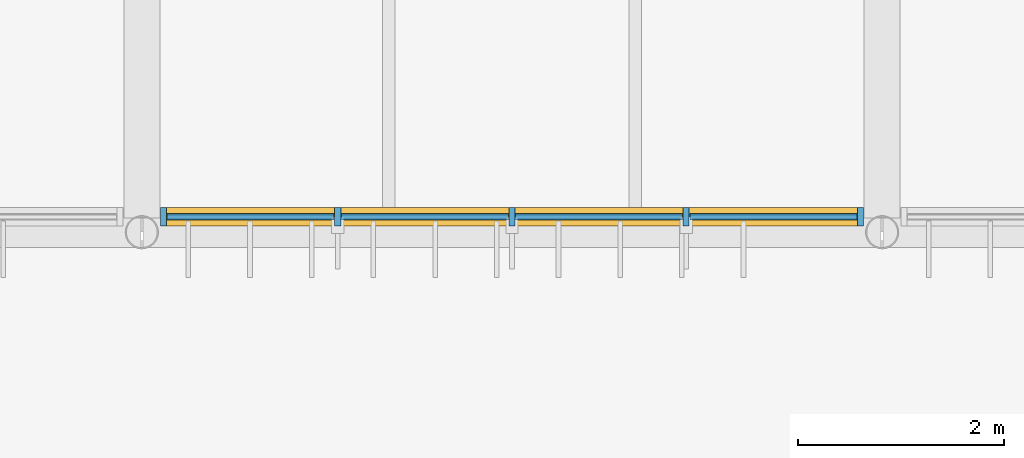
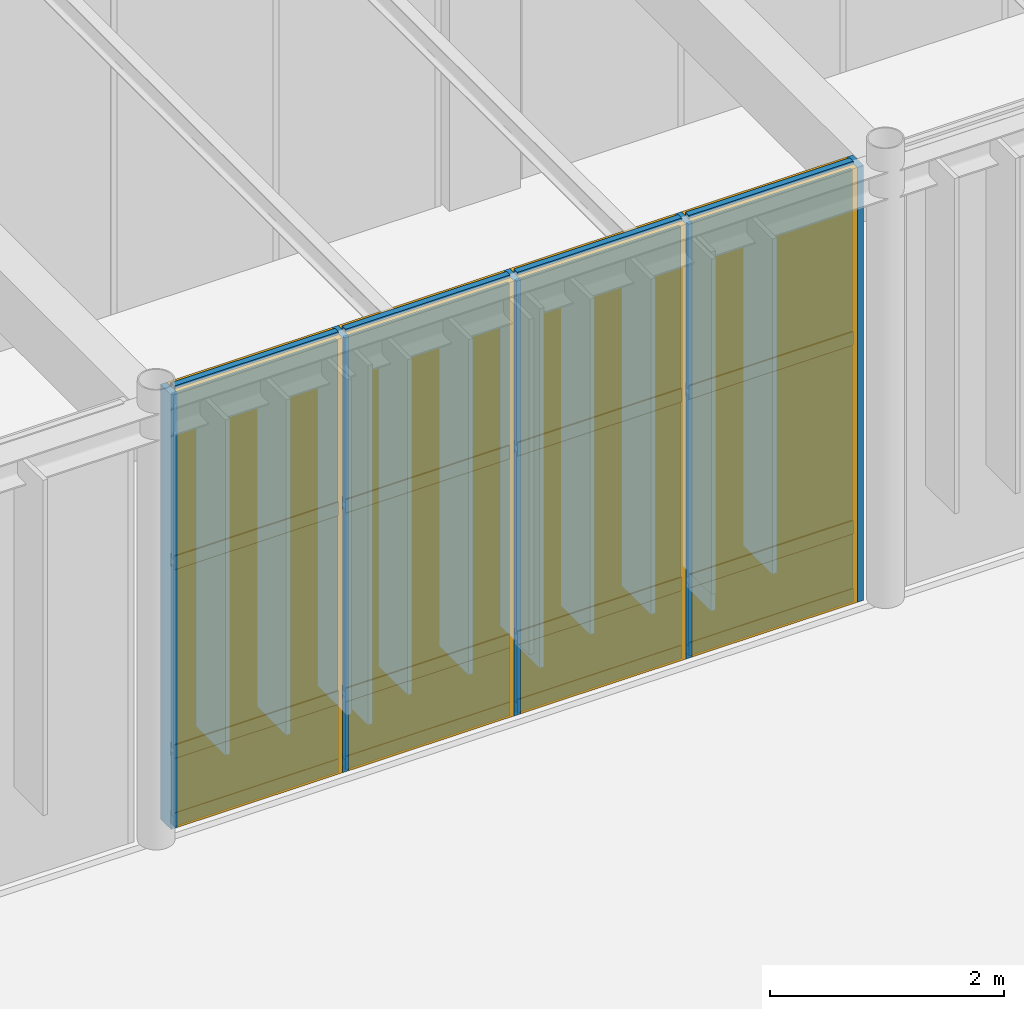
# One storey, part 72 of 122: 21 members, 12 plates, 1 curtain wall.
"""IFC4 building model written with IfcOpenShell, lengths in metres."""

from ifc_helpers import new_model, si_unit, direction, frame, frame_2d, origin, origin_2d, place, context, subcontext, project, spatial, rectangle, extrude, material, layer, layer_set, material_profile, profile_set, type_object, element, aggregate, save


model = new_model("IFC4")

# Units and contexts
model_context = context("Model", 3, precision=1e-05, world=origin(), true_north=direction((0.0, 1.0)))
body_context = subcontext(model_context, "Body", "Model", "MODEL_VIEW")
ifc_project = project(units=[si_unit("LENGTHUNIT", "METRE"), si_unit("AREAUNIT", "SQUARE_METRE"), si_unit("VOLUMEUNIT", "CUBIC_METRE"), si_unit("PLANEANGLEUNIT", "RADIAN"), si_unit("MASSUNIT", "GRAM", prefix="KILO")], contexts=[model_context])

# Member
ifc_material_1 = material(Name="Anodised Bronze Aluminium 6063-T6", Category="aluminium")
ifc_material_profile_1 = material_profile(ifc_material_1, rectangle(XDim=0.06005859375, YDim=0.179931640625, at=origin_2d()), Name="ALU MULLION 60x180")
ifc_profile_set_1 = profile_set([ifc_material_profile_1], Name="Anodised Bronze Aluminium 6063-T6")
member_type_1 = type_object("IfcMemberType", Name="Curtain-Wall Primary Mullion 60x180", PredefinedType="MULLION", material=ifc_profile_set_1)
site_placement = place(None, origin())
building_placement = place(site_placement, origin())
storey_placement = place(building_placement, origin())
member_1_placement = place(storey_placement, frame((43.412109375, 44.75, 0.0), z_axis=(0.0, 0.0, 1.0), x_axis=(1.0, 0.0, 0.0)))
member_1 = element("IfcMember", 1, at=member_1_placement, type_object=member_type_1, Name="Mullion CWM-01 CW-WLNK-S-L00-B3-M01", PredefinedType="MULLION", context=body_context, shape_type="SweptSolid", body=[
    extrude(rectangle(XDim=0.06005859375, YDim=0.179931640625, at=origin_2d()), origin(), (0.0, 0.0, 1.0), 4.5400390625),
])

member_2_placement = place(storey_placement, frame((45.10595703125, 44.75, 0.0), z_axis=(0.0, 0.0, 1.0), x_axis=(1.0, 0.0, 0.0)))
member_2 = element("IfcMember", 2, at=member_2_placement, type_object=member_type_1, Name="Mullion CWM-01 CW-WLNK-S-L00-B3-M02", PredefinedType="MULLION", context=body_context, shape_type="SweptSolid", body=[
    extrude(rectangle(XDim=0.06005859375, YDim=0.179931640625, at=origin_2d()), origin(), (0.0, 0.0, 1.0), 4.5400390625),
])

member_3_placement = place(storey_placement, frame((46.800048828125, 44.75, 0.0), z_axis=(0.0, 0.0, 1.0), x_axis=(1.0, 0.0, 0.0)))
member_3 = element("IfcMember", 3, at=member_3_placement, type_object=member_type_1, Name="Mullion CWM-01 CW-WLNK-S-L00-B3-M03", PredefinedType="MULLION", context=body_context, shape_type="SweptSolid", body=[
    extrude(rectangle(XDim=0.06005859375, YDim=0.179931640625, at=origin_2d()), origin(), (0.0, 0.0, 1.0), 4.5400390625),
])

member_4_placement = place(storey_placement, frame((48.493896484375, 44.75, 0.0), z_axis=(0.0, 0.0, 1.0), x_axis=(1.0, 0.0, 0.0)))
member_4 = element("IfcMember", 4, at=member_4_placement, type_object=member_type_1, Name="Mullion CWM-01 CW-WLNK-S-L00-B3-M04", PredefinedType="MULLION", context=body_context, shape_type="SweptSolid", body=[
    extrude(rectangle(XDim=0.06005859375, YDim=0.179931640625, at=origin_2d()), origin(), (0.0, 0.0, 1.0), 4.5400390625),
])

member_5_placement = place(storey_placement, frame((50.18798828125, 44.75, 0.0), z_axis=(0.0, 0.0, 1.0), x_axis=(1.0, 0.0, 0.0)))
member_5 = element("IfcMember", 5, at=member_5_placement, type_object=member_type_1, Name="Mullion CWM-01 CW-WLNK-S-L00-B3-M05", PredefinedType="MULLION", context=body_context, shape_type="SweptSolid", body=[
    extrude(rectangle(XDim=0.06005859375, YDim=0.179931640625, at=origin_2d()), origin(), (0.0, 0.0, 1.0), 4.5400390625),
])

ifc_material_profile_2 = material_profile(ifc_material_1, rectangle(XDim=0.06005859375, YDim=0.139892578125, at=origin_2d()), Name="ALU TRANSOM 60x140")
ifc_profile_set_2 = profile_set([ifc_material_profile_2], Name="Anodised Bronze Aluminium 6063-T6")
member_type_2 = type_object("IfcMemberType", Name="Curtain-Wall Transom 60x140", PredefinedType="USERDEFINED", material=ifc_profile_set_2)
member_6_placement = place(storey_placement, frame((43.447021484375, 44.75, 0.0400390625), z_axis=(1.0, 0.0, 0.0), x_axis=(0.0, 1.0, 0.0)))
member_6 = element("IfcMember", 6, at=member_6_placement, type_object=member_type_2, Name="Transom CWT-01 CW-WLNK-S-L00-B3-T01.1", ObjectType="TRANSOM", PredefinedType="USERDEFINED", context=body_context, shape_type="SweptSolid", body=[
    extrude(rectangle(XDim=0.06005859375, YDim=0.139892578125, at=origin_2d()), origin(), (0.0, 0.0, 1.0), 1.6240234375),
])

member_7_placement = place(storey_placement, frame((43.447021484375, 44.75, 0.75), z_axis=(1.0, 0.0, 0.0), x_axis=(0.0, 1.0, 0.0)))
member_7 = element("IfcMember", 7, at=member_7_placement, type_object=member_type_2, Name="Transom CWT-01 CW-WLNK-S-L00-B3-T01.2", ObjectType="TRANSOM", PredefinedType="USERDEFINED", context=body_context, shape_type="SweptSolid", body=[
    extrude(rectangle(XDim=0.06005859375, YDim=0.139892578125, at=origin_2d()), origin(), (0.0, 0.0, 1.0), 1.6240234375),
])

member_8_placement = place(storey_placement, frame((43.447021484375, 44.75, 2.720703125), z_axis=(1.0, 0.0, 0.0), x_axis=(0.0, 1.0, 0.0)))
member_8 = element("IfcMember", 8, at=member_8_placement, type_object=member_type_2, Name="Transom CWT-01 CW-WLNK-S-L00-B3-T01.3", ObjectType="TRANSOM", PredefinedType="USERDEFINED", context=body_context, shape_type="SweptSolid", body=[
    extrude(rectangle(XDim=0.06005859375, YDim=0.139892578125, at=origin_2d()), origin(), (0.0, 0.0, 1.0), 1.6240234375),
])

member_9_placement = place(storey_placement, frame((43.447021484375, 44.75, 4.5), z_axis=(1.0, 0.0, 0.0), x_axis=(0.0, 1.0, 0.0)))
member_9 = element("IfcMember", 9, at=member_9_placement, type_object=member_type_2, Name="Transom CWT-01 CW-WLNK-S-L00-B3-T01.4", ObjectType="TRANSOM", PredefinedType="USERDEFINED", context=body_context, shape_type="SweptSolid", body=[
    extrude(rectangle(XDim=0.06005859375, YDim=0.139892578125, at=origin_2d()), origin(), (0.0, 0.0, 1.0), 1.6240234375),
])

member_10_placement = place(storey_placement, frame((45.14111328125, 44.75, 0.0400390625), z_axis=(1.0, 0.0, 0.0), x_axis=(0.0, 1.0, 0.0)))
member_10 = element("IfcMember", 10, at=member_10_placement, type_object=member_type_2, Name="Transom CWT-01 CW-WLNK-S-L00-B3-T02.1", ObjectType="TRANSOM", PredefinedType="USERDEFINED", context=body_context, shape_type="SweptSolid", body=[
    extrude(rectangle(XDim=0.06005859375, YDim=0.139892578125, at=origin_2d()), origin(), (0.0, 0.0, 1.0), 1.623779296875),
])

member_11_placement = place(storey_placement, frame((45.14111328125, 44.75, 0.75), z_axis=(1.0, 0.0, 0.0), x_axis=(0.0, 1.0, 0.0)))
member_11 = element("IfcMember", 11, at=member_11_placement, type_object=member_type_2, Name="Transom CWT-01 CW-WLNK-S-L00-B3-T02.2", ObjectType="TRANSOM", PredefinedType="USERDEFINED", context=body_context, shape_type="SweptSolid", body=[
    extrude(rectangle(XDim=0.06005859375, YDim=0.139892578125, at=origin_2d()), origin(), (0.0, 0.0, 1.0), 1.623779296875),
])

member_12_placement = place(storey_placement, frame((45.14111328125, 44.75, 2.720703125), z_axis=(1.0, 0.0, 0.0), x_axis=(0.0, 1.0, 0.0)))
member_12 = element("IfcMember", 12, at=member_12_placement, type_object=member_type_2, Name="Transom CWT-01 CW-WLNK-S-L00-B3-T02.3", ObjectType="TRANSOM", PredefinedType="USERDEFINED", context=body_context, shape_type="SweptSolid", body=[
    extrude(rectangle(XDim=0.06005859375, YDim=0.139892578125, at=origin_2d()), origin(), (0.0, 0.0, 1.0), 1.623779296875),
])

member_13_placement = place(storey_placement, frame((45.14111328125, 44.75, 4.5), z_axis=(1.0, 0.0, 0.0), x_axis=(0.0, 1.0, 0.0)))
member_13 = element("IfcMember", 13, at=member_13_placement, type_object=member_type_2, Name="Transom CWT-01 CW-WLNK-S-L00-B3-T02.4", ObjectType="TRANSOM", PredefinedType="USERDEFINED", context=body_context, shape_type="SweptSolid", body=[
    extrude(rectangle(XDim=0.06005859375, YDim=0.139892578125, at=origin_2d()), origin(), (0.0, 0.0, 1.0), 1.623779296875),
])

member_14_placement = place(storey_placement, frame((46.8349609375, 44.75, 0.0400390625), z_axis=(1.0, 0.0, 0.0), x_axis=(0.0, 1.0, 0.0)))
member_14 = element("IfcMember", 14, at=member_14_placement, type_object=member_type_2, Name="Transom CWT-01 CW-WLNK-S-L00-B3-T03.1", ObjectType="TRANSOM", PredefinedType="USERDEFINED", context=body_context, shape_type="SweptSolid", body=[
    extrude(rectangle(XDim=0.06005859375, YDim=0.139892578125, at=origin_2d()), origin(), (0.0, 0.0, 1.0), 1.6240234375),
])

member_15_placement = place(storey_placement, frame((46.8349609375, 44.75, 0.75), z_axis=(1.0, 0.0, 0.0), x_axis=(0.0, 1.0, 0.0)))
member_15 = element("IfcMember", 15, at=member_15_placement, type_object=member_type_2, Name="Transom CWT-01 CW-WLNK-S-L00-B3-T03.2", ObjectType="TRANSOM", PredefinedType="USERDEFINED", context=body_context, shape_type="SweptSolid", body=[
    extrude(rectangle(XDim=0.06005859375, YDim=0.139892578125, at=origin_2d()), origin(), (0.0, 0.0, 1.0), 1.6240234375),
])

member_16_placement = place(storey_placement, frame((46.8349609375, 44.75, 2.720703125), z_axis=(1.0, 0.0, 0.0), x_axis=(0.0, 1.0, 0.0)))
member_16 = element("IfcMember", 16, at=member_16_placement, type_object=member_type_2, Name="Transom CWT-01 CW-WLNK-S-L00-B3-T03.3", ObjectType="TRANSOM", PredefinedType="USERDEFINED", context=body_context, shape_type="SweptSolid", body=[
    extrude(rectangle(XDim=0.06005859375, YDim=0.139892578125, at=origin_2d()), origin(), (0.0, 0.0, 1.0), 1.6240234375),
])

member_17_placement = place(storey_placement, frame((46.8349609375, 44.75, 4.5), z_axis=(1.0, 0.0, 0.0), x_axis=(0.0, 1.0, 0.0)))
member_17 = element("IfcMember", 17, at=member_17_placement, type_object=member_type_2, Name="Transom CWT-01 CW-WLNK-S-L00-B3-T03.4", ObjectType="TRANSOM", PredefinedType="USERDEFINED", context=body_context, shape_type="SweptSolid", body=[
    extrude(rectangle(XDim=0.06005859375, YDim=0.139892578125, at=origin_2d()), origin(), (0.0, 0.0, 1.0), 1.6240234375),
])

member_18_placement = place(storey_placement, frame((48.529052734375, 44.75, 0.0400390625), z_axis=(1.0, 0.0, 0.0), x_axis=(0.0, 1.0, 0.0)))
member_18 = element("IfcMember", 18, at=member_18_placement, type_object=member_type_2, Name="Transom CWT-01 CW-WLNK-S-L00-B3-T04.1", ObjectType="TRANSOM", PredefinedType="USERDEFINED", context=body_context, shape_type="SweptSolid", body=[
    extrude(rectangle(XDim=0.06005859375, YDim=0.139892578125, at=origin_2d()), origin(), (0.0, 0.0, 1.0), 1.6240234375),
])

member_19_placement = place(storey_placement, frame((48.529052734375, 44.75, 0.75), z_axis=(1.0, 0.0, 0.0), x_axis=(0.0, 1.0, 0.0)))
member_19 = element("IfcMember", 19, at=member_19_placement, type_object=member_type_2, Name="Transom CWT-01 CW-WLNK-S-L00-B3-T04.2", ObjectType="TRANSOM", PredefinedType="USERDEFINED", context=body_context, shape_type="SweptSolid", body=[
    extrude(rectangle(XDim=0.06005859375, YDim=0.139892578125, at=origin_2d()), origin(), (0.0, 0.0, 1.0), 1.6240234375),
])

member_20_placement = place(storey_placement, frame((48.529052734375, 44.75, 2.720703125), z_axis=(1.0, 0.0, 0.0), x_axis=(0.0, 1.0, 0.0)))
member_20 = element("IfcMember", 20, at=member_20_placement, type_object=member_type_2, Name="Transom CWT-01 CW-WLNK-S-L00-B3-T04.3", ObjectType="TRANSOM", PredefinedType="USERDEFINED", context=body_context, shape_type="SweptSolid", body=[
    extrude(rectangle(XDim=0.06005859375, YDim=0.139892578125, at=origin_2d()), origin(), (0.0, 0.0, 1.0), 1.6240234375),
])

member_21_placement = place(storey_placement, frame((48.529052734375, 44.75, 4.5), z_axis=(1.0, 0.0, 0.0), x_axis=(0.0, 1.0, 0.0)))
member_21 = element("IfcMember", 21, at=member_21_placement, type_object=member_type_2, Name="Transom CWT-01 CW-WLNK-S-L00-B3-T04.4", ObjectType="TRANSOM", PredefinedType="USERDEFINED", context=body_context, shape_type="SweptSolid", body=[
    extrude(rectangle(XDim=0.06005859375, YDim=0.139892578125, at=origin_2d()), origin(), (0.0, 0.0, 1.0), 1.6240234375),
])

# Plate
ifc_material_2 = material(Name="Insulated Bronze Aluminium Spandrel Panel", Category="aluminium")
ifc_layer_1 = layer(ifc_material_2, 0.050048828125, Name="Insulated Bronze Aluminium Spandrel Panel")
ifc_layer_set_1 = layer_set([ifc_layer_1], Name="Insulated Bronze Aluminium Spandrel Panel")
plate_type_1 = type_object("IfcPlateType", Name="Insulated Anodised Aluminium Spandrel Cassette 50", PredefinedType="CURTAIN_PANEL", material=ifc_layer_set_1)
plate_1_placement = place(storey_placement, frame((44.259033203125, 44.75, 0.070068359375), z_axis=(0.0, 0.0, 1.0), x_axis=(1.0, 0.0, 0.0)))
plate_1 = element("IfcPlate", 22, at=plate_1_placement, type_object=plate_type_1, Name="Curtain Panel CWP-03 CW-WLNK-S-L00-B3-P01.1", PredefinedType="CURTAIN_PANEL", context=body_context, shape_type="SweptSolid", body=[
    extrude(rectangle(XDim=1.6240234375, YDim=0.050048828125, at=origin_2d()), origin(), (0.0, 0.0, 1.0), 0.64990234375),
])

plate_2_placement = place(storey_placement, frame((45.952880859375, 44.75, 0.070068359375), z_axis=(0.0, 0.0, 1.0), x_axis=(1.0, 0.0, 0.0)))
plate_2 = element("IfcPlate", 23, at=plate_2_placement, type_object=plate_type_1, Name="Curtain Panel CWP-03 CW-WLNK-S-L00-B3-P02.1", PredefinedType="CURTAIN_PANEL", context=body_context, shape_type="SweptSolid", body=[
    extrude(rectangle(XDim=1.6240234375, YDim=0.050048828125, at=origin_2d()), origin(), (0.0, 0.0, 1.0), 0.64990234375),
])

plate_3_placement = place(storey_placement, frame((47.64697265625, 44.75, 0.070068359375), z_axis=(0.0, 0.0, 1.0), x_axis=(1.0, 0.0, 0.0)))
plate_3 = element("IfcPlate", 24, at=plate_3_placement, type_object=plate_type_1, Name="Curtain Panel CWP-03 CW-WLNK-S-L00-B3-P03.1", PredefinedType="CURTAIN_PANEL", context=body_context, shape_type="SweptSolid", body=[
    extrude(rectangle(XDim=1.6240234375, YDim=0.050048828125, at=origin_2d()), origin(), (0.0, 0.0, 1.0), 0.64990234375),
])

plate_4_placement = place(storey_placement, frame((49.341064453125, 44.75, 0.070068359375), z_axis=(0.0, 0.0, 1.0), x_axis=(1.0, 0.0, 0.0)))
plate_4 = element("IfcPlate", 25, at=plate_4_placement, type_object=plate_type_1, Name="Curtain Panel CWP-03 CW-WLNK-S-L00-B3-P04.1", PredefinedType="CURTAIN_PANEL", context=body_context, shape_type="SweptSolid", body=[
    extrude(rectangle(XDim=1.6240234375, YDim=0.050048828125, at=origin_2d()), origin(), (0.0, 0.0, 1.0), 0.64990234375),
])

ifc_material_3 = material(Name="Solar-Control Tempered Double Glazing", Category="glass")
ifc_layer_2 = layer(ifc_material_3, 0.0380859375, Name="Solar-Control Tempered Double Glazing")
ifc_layer_set_2 = layer_set([ifc_layer_2], Name="Solar-Control Tempered Double Glazing")
plate_type_2 = type_object("IfcPlateType", Name="Solar-Control Vision Glazing Unit 38", PredefinedType="CURTAIN_PANEL", material=ifc_layer_set_2)
plate_5_placement = place(storey_placement, frame((44.259033203125, 44.75, 0.77978515625), z_axis=(0.0, 0.0, 1.0), x_axis=(1.0, 0.0, 0.0)))
plate_5 = element("IfcPlate", 26, at=plate_5_placement, type_object=plate_type_2, Name="Curtain Panel CWP-02 CW-WLNK-S-L00-B3-P01.2", PredefinedType="CURTAIN_PANEL", context=body_context, shape_type="SweptSolid", body=[
    extrude(rectangle(XDim=1.6240234375, YDim=0.0380859375, at=origin_2d()), origin(), (0.0, 0.0, 1.0), 1.910888671875),
])

plate_6_placement = place(storey_placement, frame((44.259033203125, 44.75, 2.750732421875), z_axis=(0.0, 0.0, 1.0), x_axis=(1.0, 0.0, 0.0)))
plate_6 = element("IfcPlate", 27, at=plate_6_placement, type_object=plate_type_2, Name="Curtain Panel CWP-02 CW-WLNK-S-L00-B3-P01.3", PredefinedType="CURTAIN_PANEL", context=body_context, shape_type="SweptSolid", body=[
    extrude(rectangle(XDim=1.6240234375, YDim=0.0380859375, at=origin_2d()), origin(), (0.0, 0.0, 1.0), 1.71923828125),
])

plate_7_placement = place(storey_placement, frame((45.952880859375, 44.75, 0.77978515625), z_axis=(0.0, 0.0, 1.0), x_axis=(1.0, 0.0, 0.0)))
plate_7 = element("IfcPlate", 28, at=plate_7_placement, type_object=plate_type_2, Name="Curtain Panel CWP-02 CW-WLNK-S-L00-B3-P02.2", PredefinedType="CURTAIN_PANEL", context=body_context, shape_type="SweptSolid", body=[
    extrude(rectangle(XDim=1.6240234375, YDim=0.0380859375, at=origin_2d()), origin(), (0.0, 0.0, 1.0), 1.910888671875),
])

plate_8_placement = place(storey_placement, frame((45.952880859375, 44.75, 2.750732421875), z_axis=(0.0, 0.0, 1.0), x_axis=(1.0, 0.0, 0.0)))
plate_8 = element("IfcPlate", 29, at=plate_8_placement, type_object=plate_type_2, Name="Curtain Panel CWP-02 CW-WLNK-S-L00-B3-P02.3", PredefinedType="CURTAIN_PANEL", context=body_context, shape_type="SweptSolid", body=[
    extrude(rectangle(XDim=1.6240234375, YDim=0.0380859375, at=origin_2d()), origin(), (0.0, 0.0, 1.0), 1.71923828125),
])

plate_9_placement = place(storey_placement, frame((47.64697265625, 44.75, 0.77978515625), z_axis=(0.0, 0.0, 1.0), x_axis=(1.0, 0.0, 0.0)))
plate_9 = element("IfcPlate", 30, at=plate_9_placement, type_object=plate_type_2, Name="Curtain Panel CWP-02 CW-WLNK-S-L00-B3-P03.2", PredefinedType="CURTAIN_PANEL", context=body_context, shape_type="SweptSolid", body=[
    extrude(rectangle(XDim=1.6240234375, YDim=0.0380859375, at=origin_2d()), origin(), (0.0, 0.0, 1.0), 1.910888671875),
])

plate_10_placement = place(storey_placement, frame((47.64697265625, 44.75, 2.750732421875), z_axis=(0.0, 0.0, 1.0), x_axis=(1.0, 0.0, 0.0)))
plate_10 = element("IfcPlate", 31, at=plate_10_placement, type_object=plate_type_2, Name="Curtain Panel CWP-02 CW-WLNK-S-L00-B3-P03.3", PredefinedType="CURTAIN_PANEL", context=body_context, shape_type="SweptSolid", body=[
    extrude(rectangle(XDim=1.6240234375, YDim=0.0380859375, at=origin_2d()), origin(), (0.0, 0.0, 1.0), 1.71923828125),
])

plate_11_placement = place(storey_placement, frame((49.341064453125, 44.75, 0.77978515625), z_axis=(0.0, 0.0, 1.0), x_axis=(1.0, 0.0, 0.0)))
plate_11 = element("IfcPlate", 32, at=plate_11_placement, type_object=plate_type_2, Name="Curtain Panel CWP-02 CW-WLNK-S-L00-B3-P04.2", PredefinedType="CURTAIN_PANEL", context=body_context, shape_type="SweptSolid", body=[
    extrude(rectangle(XDim=1.6240234375, YDim=0.0380859375, at=origin_2d()), origin(), (0.0, 0.0, 1.0), 1.910888671875),
])

plate_12_placement = place(storey_placement, frame((49.341064453125, 44.75, 2.750732421875), z_axis=(0.0, 0.0, 1.0), x_axis=(1.0, 0.0, 0.0)))
plate_12 = element("IfcPlate", 33, at=plate_12_placement, type_object=plate_type_2, Name="Curtain Panel CWP-02 CW-WLNK-S-L00-B3-P04.3", PredefinedType="CURTAIN_PANEL", context=body_context, shape_type="SweptSolid", body=[
    extrude(rectangle(XDim=1.6240234375, YDim=0.0380859375, at=origin_2d()), origin(), (0.0, 0.0, 1.0), 1.71923828125),
])

# Site, building, storey
site = spatial("IfcSite", under=ifc_project, at=site_placement, CompositionType="ELEMENT")
building = spatial("IfcBuilding", under=site, at=building_placement, Name="Tazoul Stagehouse", CompositionType="ELEMENT")
storey = spatial("IfcBuildingStorey", under=building, at=storey_placement, Name="L00", CompositionType="ELEMENT", Elevation=0.0)

# Curtain wall
curtain_wall_type = type_object("IfcCurtainWallType", Name="Foyer Clear Solar-Control Curtain Wall", PredefinedType="NOTDEFINED", material=ifc_material_1)
curtain_wall_placement = place(storey_placement, frame((43.412109375, 44.75, 0.0), z_axis=(0.0, 0.0, 1.0), x_axis=(1.0, 0.0, 0.0)))
curtain_wall = element("IfcCurtainWall", 34, at=curtain_wall_placement, inside=storey, type_object=curtain_wall_type, Name="L00 Curtain Wall CW-02 (CW-WLNK-S-L00-B3)", PredefinedType="NOTDEFINED", context=body_context, shape_type="SweptSolid", body=[
    extrude(rectangle(XDim=6.77587890625, YDim=0.179931640625, at=frame_2d((3.387939453125, 0.0))), origin(), (0.0, 0.0, 1.0), 4.5400390625),
])

aggregate(curtain_wall, [member_1, member_2, member_3, member_4, member_5, member_6, member_7, member_8, member_9, plate_1, plate_5, plate_6, member_10, member_11, member_12, member_13, plate_2, plate_7, plate_8, member_14, member_15, member_16, member_17, plate_3, plate_9, plate_10, member_18, member_19, member_20, member_21, plate_4, plate_11, plate_12])

save(model, "model.ifc")
